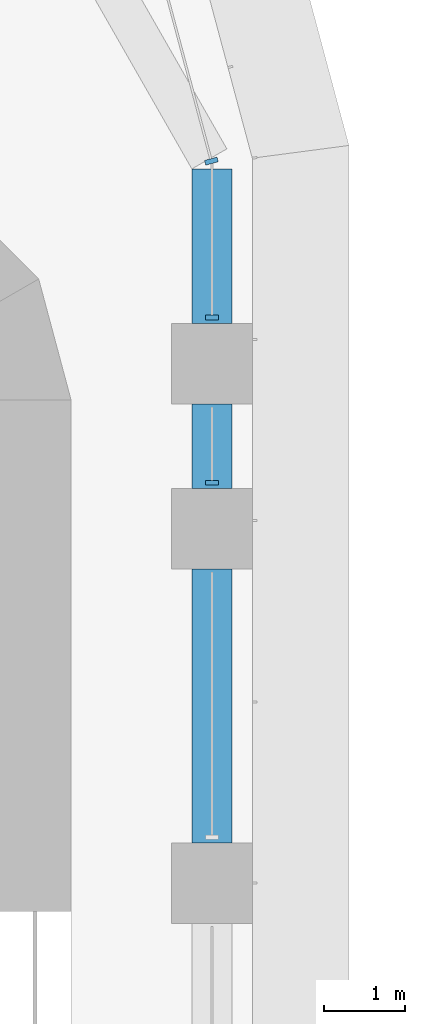
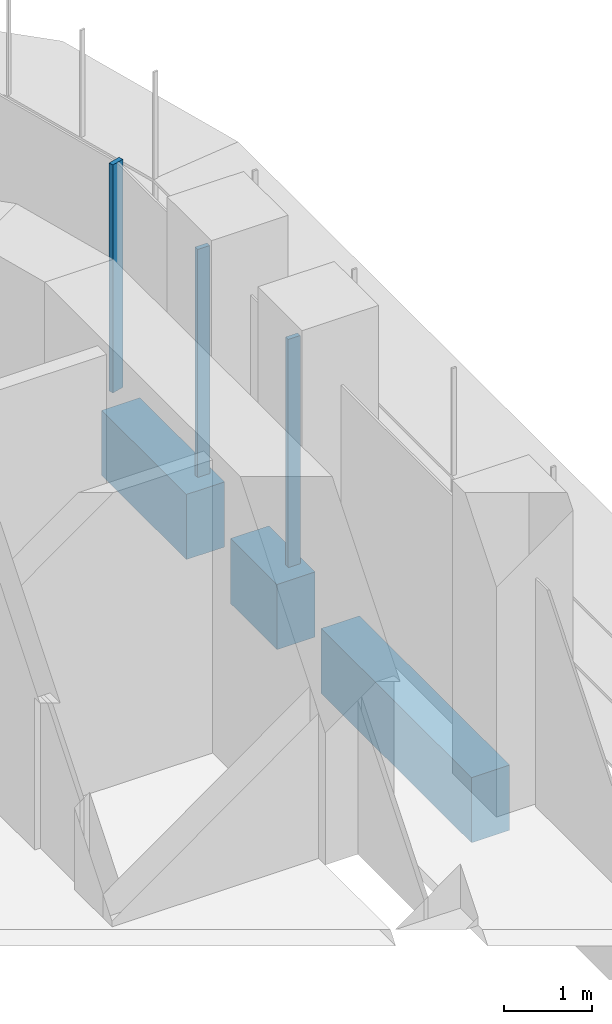
# One storey, part 10 of 23: 3 beams, 3 members, 2 elements without a shape of their own.
"""IFC4 building model written with IfcOpenShell, lengths in metres."""

import ifcopenshell
import ifcopenshell.guid

model = None  # the IFC model being written
_history = None  # IfcOwnerHistory: only IFC2X3 demands one
_inside = {}  # id of a spatial element -> (the spatial element, [elements in it])
_under = {}  # id of a project, library or spatial element -> (it, [spatial elements below it])
_declared = {}  # id of a project -> (the project, [libraries it declares])
_typed = {}  # id of a type object -> (the type object, [elements of that type])
_made_of = {}  # id of a material, layer set ... -> (it, [elements and type objects made of it])


def new_model(schema):
    """Start an empty IFC model of exactly this schema.

    Asked for "IFC4X3", IfcOpenShell would pick the latest addendum, in which some entities
    have other attributes; the version numbers below select the first issue.
    IFC2X3 requires an IfcOwnerHistory on every rooted entity: one is made here for all.
    """
    global model, _history
    if schema == "IFC4X3":
        model = ifcopenshell.file(schema_version=(4, 3, 0, 0))
    else:
        model = ifcopenshell.file(schema=schema)
    _inside.clear()
    _under.clear()
    _declared.clear()
    _typed.clear()
    _made_of.clear()
    _history = None
    if model.schema == "IFC2X3":
        org = make("IfcOrganization", Name="unknown")
        user = make(
            "IfcPersonAndOrganization",
            ThePerson=make("IfcPerson", FamilyName="unknown"),
            TheOrganization=org,
        )
        app = make(
            "IfcApplication",
            ApplicationDeveloper=org,
            Version="unknown",
            ApplicationFullName="unknown",
            ApplicationIdentifier="unknown",
        )
        _history = make(
            "IfcOwnerHistory",
            OwningUser=user,
            OwningApplication=app,
            ChangeAction="ADDED",
            CreationDate=0,
        )
    return model


def make(cls, **values):
    """One entity of the class cls with the attributes given. An attribute that is None is left unset."""
    return model.create_entity(
        cls, **{name: value for name, value in values.items() if value is not None}
    )


def rooted(cls, **values):
    """An entity with a GlobalId (a new one), such as an element, a storey or a relation."""
    return make(cls, GlobalId=ifcopenshell.guid.new(), OwnerHistory=_history, **values)


def si_unit(unit_type, name, prefix=None):
    """IfcSIUnit, for example si_unit("LENGTHUNIT", "METRE", prefix="MILLI")."""
    return make("IfcSIUnit", UnitType=unit_type, Prefix=prefix, Name=name)


def assignment(units):
    """IfcUnitAssignment: the units of a project."""
    return None if units is None else make("IfcUnitAssignment", Units=units)


def point(xyz):
    """IfcCartesianPoint."""
    return None if xyz is None else make("IfcCartesianPoint", Coordinates=xyz)


def direction(xyz):
    """IfcDirection."""
    return None if xyz is None else make("IfcDirection", DirectionRatios=xyz)


def frame(location, z_axis=None, x_axis=None):
    """IfcAxis2Placement3D, a coordinate frame: its origin and axes. An axis left out is left unset."""
    return make(
        "IfcAxis2Placement3D",
        Location=point(location),
        Axis=direction(z_axis),
        RefDirection=direction(x_axis),
    )


def frame_2d(location, x_axis=None):
    """IfcAxis2Placement2D, a coordinate frame in the plane: its origin and x axis."""
    return make(
        "IfcAxis2Placement2D", Location=point(location), RefDirection=direction(x_axis)
    )


def origin():
    """The frame at (0, 0, 0) with its axes left unset."""
    return frame((0.0, 0.0, 0.0))


def origin_2d():
    """The frame at (0, 0) in the plane with its x axis left unset."""
    return frame_2d((0.0, 0.0))


def place(relative_to, where):
    """IfcLocalPlacement: puts the frame where relative to a parent placement (None: the world)."""
    return make(
        "IfcLocalPlacement", PlacementRelTo=relative_to, RelativePlacement=where
    )


def context(
    kind, dimensions, precision=None, world=None, true_north=None, identifier=None
):
    """IfcGeometricRepresentationContext, for example the 3D "Model" context."""
    return make(
        "IfcGeometricRepresentationContext",
        ContextIdentifier=identifier,
        ContextType=kind,
        CoordinateSpaceDimension=dimensions,
        Precision=precision,
        WorldCoordinateSystem=world,
        TrueNorth=true_north,
    )


def subcontext(parent, identifier, kind, view, scale=None):
    """IfcGeometricRepresentationSubContext, for example "Body" below "Model"."""
    return make(
        "IfcGeometricRepresentationSubContext",
        ContextIdentifier=identifier,
        ContextType=kind,
        ParentContext=parent,
        TargetScale=scale,
        TargetView=view,
    )


def project(units=None, contexts=None):
    """IfcProject with its units and contexts."""
    return rooted(
        "IfcProject",
        Name="project",
        RepresentationContexts=contexts,
        UnitsInContext=assignment(units),
    )


def spatial(cls, under=None, at=None, **own):
    """A site, building, storey or space (cls), placed at a placement, below another one or the project."""
    s = rooted(cls, ObjectPlacement=at, **own)
    if under is not None:
        _under.setdefault(under.id(), (under, []))[1].append(s)
    return s


def polyline(points):
    """IfcPolyline through the points."""
    return make("IfcPolyline", Points=[point(p) for p in points])


def profile(cls, at=None, kind="AREA", **sizes):
    """A parametric profile (cls). Its sizes go by their IFC names, for example OverallWidth=200.0."""
    return make(cls, ProfileType=kind, Position=at, **sizes)


def rectangle(**sizes):
    """IfcRectangleProfileDef."""
    return profile("IfcRectangleProfileDef", **sizes)


def outline(outer, holes=None, kind="AREA"):
    """IfcArbitraryClosedProfileDef: a profile drawn as a closed curve; with holes, ...WithVoids."""
    if holes is None:
        return make("IfcArbitraryClosedProfileDef", ProfileType=kind, OuterCurve=outer)
    return make(
        "IfcArbitraryProfileDefWithVoids",
        ProfileType=kind,
        OuterCurve=outer,
        InnerCurves=holes,
    )


def extrude(swept, where, along, depth):
    """IfcExtrudedAreaSolid: the profile swept, set in the frame where, extruded along a direction by depth."""
    return make(
        "IfcExtrudedAreaSolid",
        SweptArea=swept,
        Position=where,
        ExtrudedDirection=direction(along),
        Depth=depth,
    )


def shape(context_of_items, identifier, shape_type, items):
    """IfcShapeRepresentation: the items that make up one representation, for example the "Body"."""
    return make(
        "IfcShapeRepresentation",
        ContextOfItems=context_of_items,
        RepresentationIdentifier=identifier,
        RepresentationType=shape_type,
        Items=items,
    )


def source(mapping_origin, context_of_items, identifier, shape_type, items):
    """IfcRepresentationMap: a shape defined once, which mapped items show again and again."""
    return make(
        "IfcRepresentationMap",
        MappingOrigin=mapping_origin,
        MappedRepresentation=shape(context_of_items, identifier, shape_type, items),
    )


def transform(
    local_origin,
    x_axis=None,
    y_axis=None,
    z_axis=None,
    scale=None,
    scale2=None,
    scale3=None,
    uniform=True,
):
    """IfcCartesianTransformationOperator3D, or its non-uniform kind. x_axis, y_axis, z_axis: its Axis1, 2, 3."""
    if uniform:
        return make(
            "IfcCartesianTransformationOperator3D",
            Axis1=direction(x_axis),
            Axis2=direction(y_axis),
            LocalOrigin=point(local_origin),
            Scale=scale,
            Axis3=direction(z_axis),
        )
    return make(
        "IfcCartesianTransformationOperator3DnonUniform",
        Axis1=direction(x_axis),
        Axis2=direction(y_axis),
        LocalOrigin=point(local_origin),
        Scale=scale,
        Axis3=direction(z_axis),
        Scale2=scale2,
        Scale3=scale3,
    )


def mapped(mapping_source, mapping_target):
    """IfcMappedItem: shows the shape of a source again, moved by a transform."""
    return make(
        "IfcMappedItem", MappingSource=mapping_source, MappingTarget=mapping_target
    )


def material(Name=None, Category=None):
    """IfcMaterial."""
    return make("IfcMaterial", Name=Name, Category=Category)


def material_profile(
    of_material, cross_section, Name=None, Category=None, Priority=None
):
    """IfcMaterialProfile: a cross section and its material."""
    return make(
        "IfcMaterialProfile",
        Name=Name,
        Material=of_material,
        Profile=cross_section,
        Priority=Priority,
        Category=Category,
    )


def profile_set(profiles, Name=None, composite=None):
    """IfcMaterialProfileSet."""
    return make(
        "IfcMaterialProfileSet",
        Name=Name,
        MaterialProfiles=profiles,
        CompositeProfile=composite,
    )


def made_of(thing, what):
    """Note that an element or type object is made of a material, layer set ...; save() writes the relation."""
    if what is not None:
        _made_of.setdefault(what.id(), (what, []))[1].append(thing)
    return thing


def type_object(cls, material=None, **own):
    """A type object (cls), such as IfcWallType, which elements share."""
    return made_of(rooted(cls, **own), material)


def element(
    cls,
    number,
    at=None,
    inside=None,
    cuts=None,
    type_object=None,
    material=None,
    context=None,
    identifier="Body",
    shape_type=None,
    held_by="IfcProductDefinitionShape",
    body=None,
    shapes=None,
    **own,
):
    """One element of the class cls, such as IfcWall. Its Tag is "e" and its number.

    at: its placement. inside: the storey or other place that contains it. cuts: it is an
    opening in that element (IfcRelVoidsElement). A single representation is given by context,
    identifier, shape_type and body (its items); several are given by shapes. held_by: the class
    of the entity that holds the representations. save() writes the other relations.
    """
    e = rooted(cls, Tag="e%d" % number, ObjectPlacement=at, **own)
    if body is not None:
        shapes = [shape(context, identifier, shape_type, body)]
    if shapes is not None:
        e.Representation = make(held_by, Representations=shapes)
    if inside is not None:
        _inside.setdefault(inside.id(), (inside, []))[1].append(e)
    if cuts is not None:
        rooted(
            "IfcRelVoidsElement", RelatingBuildingElement=cuts, RelatedOpeningElement=e
        )
    if type_object is not None:
        _typed.setdefault(type_object.id(), (type_object, []))[1].append(e)
    return made_of(e, material)


def aggregate(whole, parts):
    """IfcRelAggregates: a whole, such as a stair, and the parts it consists of."""
    return rooted("IfcRelAggregates", RelatingObject=whole, RelatedObjects=parts)


def save(model, path):
    """Write the relations noted so far, then the file.

    IfcRelAggregates (storeys below a building ...), IfcRelContainedInSpatialStructure (elements
    in a storey), IfcRelDefinesByType, IfcRelAssociatesMaterial and IfcRelDeclares: one each for
    every whole, place, type object, material and project.
    """
    for whole, parts in _under.values():
        aggregate(whole, parts)
    for where, things in _inside.values():
        rooted(
            "IfcRelContainedInSpatialStructure",
            RelatedElements=things,
            RelatingStructure=where,
        )
    for kind, things in _typed.values():
        rooted("IfcRelDefinesByType", RelatedObjects=things, RelatingType=kind)
    for what, things in _made_of.values():
        rooted("IfcRelAssociatesMaterial", RelatedObjects=things, RelatingMaterial=what)
    for by, libraries in _declared.values():
        rooted("IfcRelDeclares", RelatingContext=by, RelatedDefinitions=libraries)
    model.write(path)


model = new_model("IFC4")

# Units and contexts
model_context = context("Model", 3, precision=1e-05, world=origin(), true_north=direction((0.0, 1.0)))
body_context = subcontext(model_context, "Body", "Model", "MODEL_VIEW")
ifc_project = project(units=[si_unit("LENGTHUNIT", "METRE"), si_unit("AREAUNIT", "SQUARE_METRE"), si_unit("VOLUMEUNIT", "CUBIC_METRE"), si_unit("PLANEANGLEUNIT", "RADIAN"), si_unit("MASSUNIT", "GRAM", prefix="KILO")], contexts=[model_context])

# Site, building, storey
site_placement = place(None, origin())
site = spatial("IfcSite", under=ifc_project, at=site_placement, CompositionType="ELEMENT")
building_placement = place(site_placement, origin())
building = spatial("IfcBuilding", under=site, at=building_placement, Name="Zarbagh Exchange Tower", CompositionType="ELEMENT")
storey_placement = place(building_placement, frame((0.0, 0.0, 56.39990234375)))
storey = spatial("IfcBuildingStorey", under=building, at=storey_placement, Name="L12", CompositionType="ELEMENT", Elevation=56.39990234375)

# Beams
ifc_material_1 = material(Name="Concrete C60/75", Category="concrete")
ifc_material_profile = material_profile(ifc_material_1, rectangle(XDim=0.5, YDim=0.89990234375, at=origin_2d()), Name="RC spandrel beam 500 x 900 C60/75")
ifc_profile_set = profile_set([ifc_material_profile], Name="Concrete C60/75")
beam_type = type_object("IfcBeamType", Name="RC spandrel beam 500 x 900 C60/75", PredefinedType="SPANDREL", material=ifc_profile_set)
beam_1_placement = place(storey_placement, frame((6.25, 29.117919921875, -0.599853515625), z_axis=(0.0, -1.0, 0.0), x_axis=(1.0, 0.0, 0.0)))
element("IfcBeam", 1, at=beam_1_placement, inside=storey, type_object=beam_type, Name="RC spandrel beam", PredefinedType="SPANDREL", context=body_context, shape_type="SweptSolid", body=[
    extrude(rectangle(XDim=0.5, YDim=0.89990234375, at=origin_2d()), origin(), (0.0, 0.0, 1.0), 1.91796875),
])
beam_2_placement = place(storey_placement, frame((6.25, 26.199951171875, -0.599853515625), z_axis=(0.0, -1.0, 0.0), x_axis=(1.0, 0.0, 0.0)))
element("IfcBeam", 2, at=beam_2_placement, inside=storey, type_object=beam_type, Name="RC spandrel beam", PredefinedType="SPANDREL", context=body_context, shape_type="SweptSolid", body=[
    extrude(rectangle(XDim=0.5, YDim=0.89990234375, at=origin_2d()), origin(), (0.0, 0.0, 1.0), 1.050048828125),
])
beam_3_placement = place(storey_placement, frame((6.25, 24.14990234375, -0.599853515625), z_axis=(0.0, -1.0, 0.0), x_axis=(1.0, 0.0, 0.0)))
element("IfcBeam", 3, at=beam_3_placement, inside=storey, type_object=beam_type, Name="RC spandrel beam", PredefinedType="SPANDREL", context=body_context, shape_type="SweptSolid", body=[
    extrude(rectangle(XDim=0.5, YDim=0.89990234375, at=origin_2d()), origin(), (0.0, 0.0, 1.0), 3.39990234375),
])

# Curtain wall, members
ifc_material_2 = material(Name="Anodised aluminium frame and glazing", Category="aluminium")
curtain_wall_type = type_object("IfcCurtainWallType", Name="CWA Ribbon glazing, lower zones", PredefinedType="NOTDEFINED", material=ifc_material_2)
curtain_wall_1_placement = place(storey_placement, origin())
curtain_wall_1 = element("IfcCurtainWall", 4, at=curtain_wall_1_placement, inside=storey, type_object=curtain_wall_type, Name="CWA20 curtain wall", PredefinedType="NOTDEFINED")
ifc_material_3 = material(Name="Anodised aluminium frame", Category="aluminium")
member_type = type_object("IfcMemberType", Name="MUA Mullion, anodised aluminium frame", PredefinedType="MULLION", material=ifc_material_3)
shared_shape = source(origin(), body_context, "Body", "SweptSolid", [
    extrude(outline(polyline([(0.0, -0.080078125), (0.06005859375, -0.080078125), (0.06005859375, 0.080078125), (0.0, 0.080078125), (0.0, -0.080078125)])), origin(), (0.0, 0.0, 1.0), 3.14990234375),
])
placement = place(storey_placement, origin())
member_1 = element("IfcMember", 5, at=placement, type_object=member_type, Name="CWA20 mullion 4.1", PredefinedType="MULLION", context=body_context, shape_type="MappedRepresentation", body=[
    mapped(shared_shape, transform((6.25, 25.18994140625, 0.0), x_axis=(0.0, 1.0, 0.0), y_axis=(-1.0, 0.0, 0.0), z_axis=(0.0, 0.0, 1.0))),
])
member_2 = element("IfcMember", 6, at=placement, type_object=member_type, Name="CWA20 mullion 5.1", PredefinedType="MULLION", context=body_context, shape_type="MappedRepresentation", body=[
    mapped(shared_shape, transform((6.25, 27.239990234375, 0.0), x_axis=(0.0, 1.0, 0.0), y_axis=(-1.0, 0.0, 0.0), z_axis=(0.0, 0.0, 1.0))),
])
aggregate(curtain_wall_1, [member_1, member_2])

# Curtain wall, member
curtain_wall_2_placement = place(storey_placement, origin())
curtain_wall_2 = element("IfcCurtainWall", 7, at=curtain_wall_2_placement, inside=storey, type_object=curtain_wall_type, Name="CWA21 curtain wall", PredefinedType="NOTDEFINED")
member_3 = element("IfcMember", 8, at=placement, type_object=member_type, Name="CWA21 mullion 1.1", PredefinedType="MULLION", context=body_context, shape_type="MappedRepresentation", body=[
    mapped(shared_shape, transform((6.25, 29.18408203125, 0.0), x_axis=(-0.258824779902, 0.965924289636, 0.0), y_axis=(-0.965924289636, -0.258824779902, 0.0), z_axis=(0.0, 0.0, 1.0))),
])
aggregate(curtain_wall_2, [member_3])

save(model, "model.ifc")
